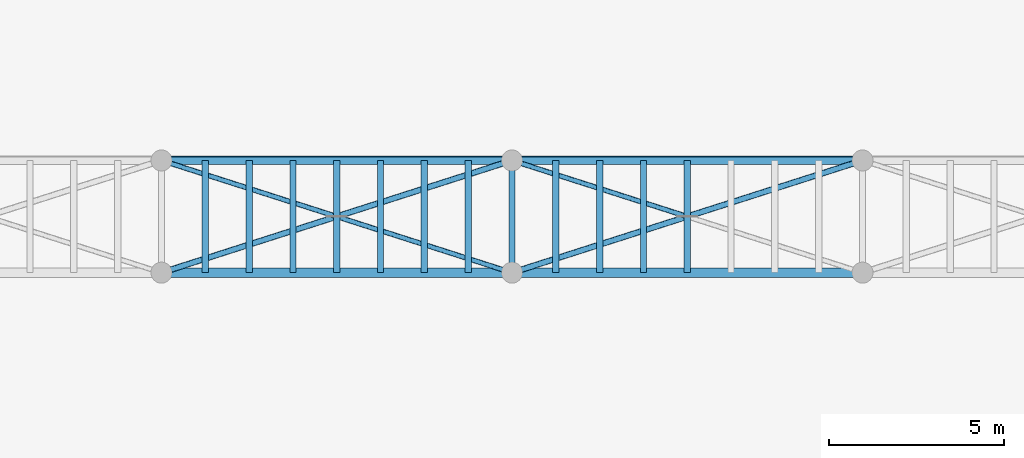
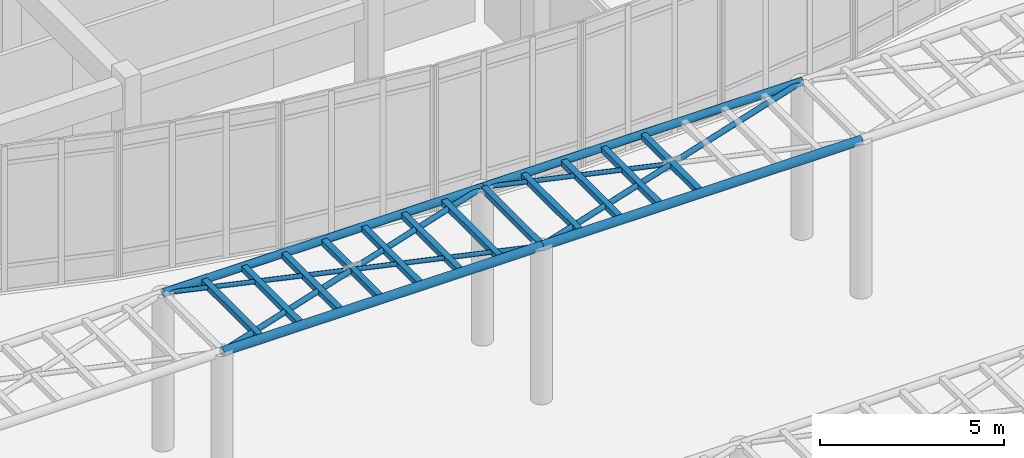
# One storey, part 54 of 121: 21 members.
"""IFC4 building model written with IfcOpenShell, lengths in metres."""

from ifc_helpers import new_model, si_unit, direction, frame, origin, origin_2d, place, context, subcontext, project, spatial, hollow_rectangle, hollow_circle, extrude, material, material_profile, profile_set, type_object, element, save


model = new_model("IFC4")

# Units and contexts
model_context = context("Model", 3, precision=1e-05, world=origin(), true_north=direction((0.0, 1.0)))
body_context = subcontext(model_context, "Body", "Model", "MODEL_VIEW")
ifc_project = project(units=[si_unit("LENGTHUNIT", "METRE"), si_unit("AREAUNIT", "SQUARE_METRE"), si_unit("VOLUMEUNIT", "CUBIC_METRE"), si_unit("PLANEANGLEUNIT", "RADIAN"), si_unit("MASSUNIT", "GRAM", prefix="KILO")], contexts=[model_context])

# Site, building, storey
site_placement = place(None, origin())
site = spatial("IfcSite", under=ifc_project, at=site_placement, CompositionType="ELEMENT")
building_placement = place(site_placement, origin())
building = spatial("IfcBuilding", under=site, at=building_placement, Name="Valcora Specialist Clinic", CompositionType="ELEMENT")
storey_placement = place(building_placement, origin())
storey = spatial("IfcBuildingStorey", under=building, at=storey_placement, Name="L00", CompositionType="ELEMENT", Elevation=0.0)

# Members
ifc_material = material(Name="Steel ASTM A500 Grade C", Category="steel")
ifc_material_profile_1 = material_profile(ifc_material, hollow_circle(Radius=0.1220703125, WallThickness=0.010009765625, at=origin_2d()), Name="ST-CHS-244X10")
ifc_profile_set_1 = profile_set([ifc_material_profile_1], Name="Steel ASTM A500 Grade C")
member_type_1 = type_object("IfcMemberType", Name="TY-MB-GSC244", PredefinedType="CHORD", material=ifc_profile_set_1)
for number, where, z_axis, x_axis, name in (
    (1, (94.0, 65.199951171875, 5.050048828125), (1.0, 0.0, 0.0), (0.0, 1.0, 0.0), "Garden pergola edge chord MB-L00-1010"),
    (2, (104.0, 65.199951171875, 5.050048828125), (1.0, 0.0, 0.0), (0.0, 1.0, 0.0), "Garden pergola edge chord MB-L00-1022"),
):
    element("IfcMember", number, at=place(storey_placement, frame(where, z_axis=z_axis, x_axis=x_axis)), inside=storey, type_object=member_type_1, Name=name, PredefinedType="CHORD", context=body_context, shape_type="SweptSolid", body=[
        extrude(hollow_circle(Radius=0.1220703125, WallThickness=0.010009765625, at=origin_2d()), origin(), (0.0, 0.0, 1.0), 10.0),
    ])
ifc_material_profile_2 = material_profile(ifc_material, hollow_circle(Radius=0.136474609375, WallThickness=0.011962890625, at=origin_2d()), Name="ST-CHS-273X12")
ifc_profile_set_2 = profile_set([ifc_material_profile_2], Name="Steel ASTM A500 Grade C")
member_type_2 = type_object("IfcMemberType", Name="TY-MB-GSC273", PredefinedType="CHORD", material=ifc_profile_set_2)
for number, where, z_axis, x_axis, name in (
    (3, (94.0, 62.0, 5.050048828125), (1.0, 0.0, 0.0), (0.0, 1.0, 0.0), "Garden pergola main chord MB-L00-1009"),
    (4, (104.0, 62.0, 5.050048828125), (1.0, 0.0, 0.0), (0.0, 1.0, 0.0), "Garden pergola main chord MB-L00-1021"),
):
    element("IfcMember", number, at=place(storey_placement, frame(where, z_axis=z_axis, x_axis=x_axis)), inside=storey, type_object=member_type_2, Name=name, PredefinedType="CHORD", context=body_context, shape_type="SweptSolid", body=[
        extrude(hollow_circle(Radius=0.136474609375, WallThickness=0.011962890625, at=origin_2d()), origin(), (0.0, 0.0, 1.0), 10.0),
    ])
ifc_material_profile_3 = material_profile(ifc_material, hollow_circle(Radius=0.070068359375, WallThickness=0.006103515625, at=origin_2d()), Name="ST-CHS-140X6")
ifc_profile_set_3 = profile_set([ifc_material_profile_3], Name="Steel ASTM A500 Grade C")
member_type_3 = type_object("IfcMemberType", Name="TY-MB-GSD140", PredefinedType="BRACE", material=ifc_profile_set_3)
for number, where, z_axis, x_axis, name in (
    (5, (94.0, 65.199951171875, 5.050048828125), (0.952432246511, -0.304750415595, 0.0), (0.304750415595, 0.952432246511, 0.0), "Garden pergola split counter brace A MB-L00-1012"),
    (6, (104.0, 65.199951171875, 5.050048828125), (0.952432246511, -0.304750415595, 0.0), (0.304750415595, 0.952432246511, 0.0), "Garden pergola split counter brace A MB-L00-1024"),
    (7, (99.0, 63.60009765625, 5.050048828125), (0.952418747361, -0.304792601084, 0.0), (0.304792601084, 0.952418747361, 0.0), "Garden pergola split counter brace B 187"),
):
    element("IfcMember", number, at=place(storey_placement, frame(where, z_axis=z_axis, x_axis=x_axis)), inside=storey, type_object=member_type_3, Name=name, PredefinedType="BRACE", context=body_context, shape_type="SweptSolid", body=[
        extrude(hollow_circle(Radius=0.070068359375, WallThickness=0.006103515625, at=origin_2d()), origin(), (0.0, 0.0, 1.0), 5.249755859375),
    ])
ifc_material_profile_4 = material_profile(ifc_material, hollow_circle(Radius=0.083984375, WallThickness=0.008056640625, at=origin_2d()), Name="ST-CHS-168X8")
ifc_profile_set_4 = profile_set([ifc_material_profile_4], Name="Steel ASTM A500 Grade C")
member_type_4 = type_object("IfcMemberType", Name="TY-MB-GSD168", PredefinedType="BRACE", material=ifc_profile_set_4)
for number, where, z_axis, x_axis, name in (
    (8, (94.0, 62.0, 5.050048828125), (0.952425497122, 0.304771508564, 0.0), (-0.304771508564, 0.952425497122, 0.0), "Garden pergola plan brace MB-L00-1011"),
    (9, (104.0, 62.0, 5.050048828125), (0.952425497122, 0.304771508564, 0.0), (-0.304771508564, 0.952425497122, 0.0), "Garden pergola plan brace MB-L00-1023"),
):
    element("IfcMember", number, at=place(storey_placement, frame(where, z_axis=z_axis, x_axis=x_axis)), inside=storey, type_object=member_type_4, Name=name, PredefinedType="BRACE", context=body_context, shape_type="SweptSolid", body=[
        extrude(hollow_circle(Radius=0.083984375, WallThickness=0.008056640625, at=origin_2d()), origin(), (0.0, 0.0, 1.0), 10.49951171875),
    ])
ifc_material_profile_5 = material_profile(ifc_material, hollow_rectangle(XDim=0.179931640625, YDim=0.179931640625, WallThickness=0.008056640625, at=origin_2d()), Name="ST-RHS-180X180X8")
ifc_profile_set_5 = profile_set([ifc_material_profile_5], Name="Steel ASTM A500 Grade C")
member_type_5 = type_object("IfcMemberType", Name="TY-MB-PR180", PredefinedType="PURLIN", material=ifc_profile_set_5)
for number, where, z_axis, x_axis, name in (
    (10, (95.25, 62.0, 5.050048828125), (0.0, 1.0, 0.0), (-1.0, 0.0, 0.0), "Garden pergola purlin MB-L00-1014"),
    (11, (96.5, 62.0, 5.050048828125), (0.0, 1.0, 0.0), (-1.0, 0.0, 0.0), "Garden pergola purlin MB-L00-1015"),
    (12, (97.75, 62.0, 5.050048828125), (0.0, 1.0, 0.0), (-1.0, 0.0, 0.0), "Garden pergola purlin MB-L00-1016"),
    (13, (99.0, 62.0, 5.050048828125), (0.0, 1.0, 0.0), (-1.0, 0.0, 0.0), "Garden pergola purlin MB-L00-1017"),
    (14, (100.25, 62.0, 5.050048828125), (0.0, 1.0, 0.0), (-1.0, 0.0, 0.0), "Garden pergola purlin MB-L00-1018"),
    (15, (101.5, 62.0, 5.050048828125), (0.0, 1.0, 0.0), (-1.0, 0.0, 0.0), "Garden pergola purlin MB-L00-1019"),
    (16, (102.75, 62.0, 5.050048828125), (0.0, 1.0, 0.0), (-1.0, 0.0, 0.0), "Garden pergola purlin MB-L00-1020"),
    (17, (104.0, 62.0, 5.050048828125), (0.0, 1.0, 0.0), (-1.0, 0.0, 0.0), "Garden pergola purlin MB-L00-1025"),
    (18, (105.25, 62.0, 5.050048828125), (0.0, 1.0, 0.0), (-1.0, 0.0, 0.0), "Garden pergola purlin MB-L00-1026"),
    (19, (106.5, 62.0, 5.050048828125), (0.0, 1.0, 0.0), (-1.0, 0.0, 0.0), "Garden pergola purlin MB-L00-1027"),
    (20, (107.75, 62.0, 5.050048828125), (0.0, 1.0, 0.0), (-1.0, 0.0, 0.0), "Garden pergola purlin MB-L00-1028"),
    (21, (109.0, 62.0, 5.050048828125), (0.0, 1.0, 0.0), (-1.0, 0.0, 0.0), "Garden pergola purlin MB-L00-1029"),
):
    element("IfcMember", number, at=place(storey_placement, frame(where, z_axis=z_axis, x_axis=x_axis)), inside=storey, type_object=member_type_5, Name=name, PredefinedType="PURLIN", context=body_context, shape_type="SweptSolid", body=[
        extrude(hollow_rectangle(XDim=0.179931640625, YDim=0.179931640625, WallThickness=0.008056640625, at=origin_2d()), origin(), (0.0, 0.0, 1.0), 3.199951171875),
    ])

save(model, "model.ifc")
